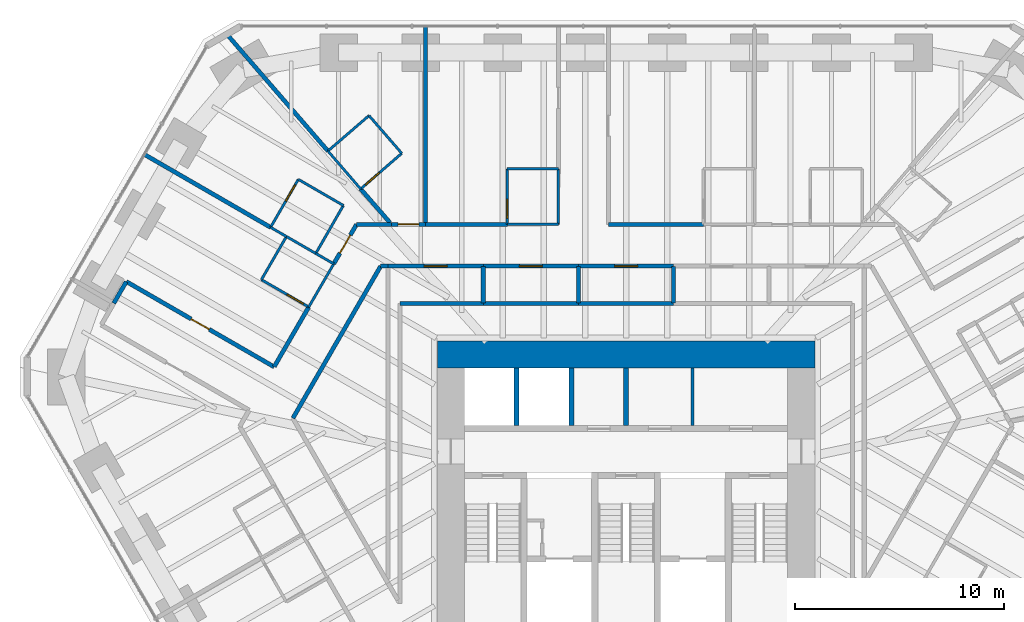
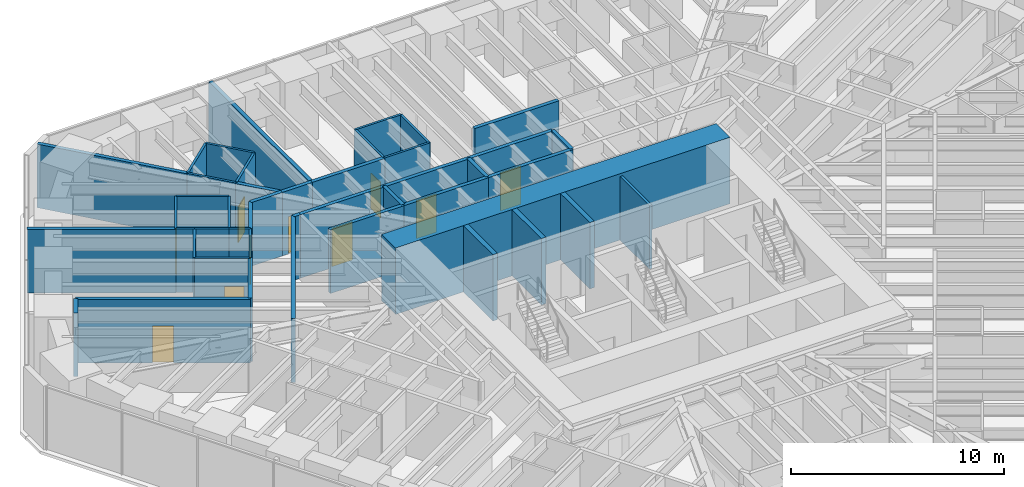
# One storey, part 14 of 17: 45 walls, 10 doors, 10 openings.
"""IFC4 building model written with IfcOpenShell, lengths in metres."""

from ifc_helpers import new_model, si_unit, direction, frame, frame_2d, origin, place, context, subcontext, project, spatial, rectangle, extrude, material, layer, layer_set, type_object, element, fill, save


model = new_model("IFC4")

# Units and contexts
model_context = context("Model", 3, precision=1e-05, world=origin(), true_north=direction((0.0, 1.0)))
body_context = subcontext(model_context, "Body", "Model", "MODEL_VIEW")
ifc_project = project(units=[si_unit("LENGTHUNIT", "METRE"), si_unit("AREAUNIT", "SQUARE_METRE"), si_unit("VOLUMEUNIT", "CUBIC_METRE"), si_unit("PLANEANGLEUNIT", "RADIAN"), si_unit("MASSUNIT", "GRAM", prefix="KILO")], contexts=[model_context])

# Site, building, storey
site_placement = place(None, origin())
site = spatial("IfcSite", under=ifc_project, at=site_placement, CompositionType="ELEMENT")
building_placement = place(site_placement, origin())
building = spatial("IfcBuilding", under=site, at=building_placement, Name="Sandreach Pilgrim Tower", CompositionType="ELEMENT")
storey_placement = place(building_placement, frame((0.0, 0.0, 123.39990234375)))
storey = spatial("IfcBuildingStorey", under=building, at=storey_placement, Name="L30", CompositionType="ELEMENT", Elevation=123.39990234375)

# Wall
ifc_material_1 = material(Name="Gypsum board on steel studs", Category="steel")
ifc_layer_1 = layer(ifc_material_1, 0.14990234375)
ifc_layer_set_1 = layer_set([ifc_layer_1], Name="Back of house wall 150")
wall_type_1 = type_object("IfcWallType", Name="Back of house wall 150", PredefinedType="PARTITIONING", material=ifc_layer_set_1)
wall_1_placement = place(storey_placement, frame((3.175048828125, 3.35009765625, 0.0), z_axis=(0.0, 0.0, 1.0), x_axis=(0.0, 1.0, 0.0)))
element("IfcWall", 1, at=wall_1_placement, inside=storey, type_object=wall_type_1, Name="Core room partition L30 1", PredefinedType="PARTITIONING", context=body_context, shape_type="SweptSolid", body=[
    extrude(rectangle(XDim=2.75, YDim=0.14990234375, at=frame_2d((1.375, 0.0))), origin(), (0.0, 0.0, 1.0), 3.64013671875),
])

# Wall, opening, door
ifc_material_2 = material(Name="Moisture-resistant gypsum board on steel studs", Category="steel")
ifc_layer_2 = layer(ifc_material_2, 0.1201171875)
ifc_layer_set_2 = layer_set([ifc_layer_2], Name="Bathroom partition 120")
wall_type_2 = type_object("IfcWallType", Name="Bathroom partition 120", PredefinedType="PARTITIONING", material=ifc_layer_set_2)
wall_2_placement = place(storey_placement, frame((-17.489990234375, 10.340087890625, 0.0), z_axis=(0.0, 0.0, 1.0), x_axis=(0.866114241029, -0.499846097802, 0.0)))
wall_2 = element("IfcWall", 2, at=wall_2_placement, inside=storey, type_object=wall_type_2, Name="Bathroom partition L30-013", PredefinedType="PARTITIONING", context=body_context, shape_type="SweptSolid", body=[
    extrude(rectangle(XDim=2.620849609375, YDim=0.1201171875, at=frame_2d((1.310546875, 0.0))), origin(), (0.0, 0.0, 1.0), 3.64013671875),
])
opening_1_placement = place(wall_2_placement, frame((1.4208984375, 0.0, 0.0)))
opening_1 = element("IfcOpeningElement", 3, at=opening_1_placement, cuts=wall_2, Name="Opening D09-18B", PredefinedType="OPENING", context=body_context, shape_type="SweptSolid", body=[
    extrude(rectangle(XDim=0.89990234375, YDim=2.030029296875, at=frame_2d((0.449951171875, 1.01513671875))), frame((0.0, 0.06005859375, 0.0), z_axis=(0.0, -1.0, 0.0), x_axis=(1.0, 0.0, 0.0)), (0.0, 0.0, 1.0), 0.1201171875),
])
ifc_material_3 = material(Name="Timber door, steel frame", Category="steel")
door_type_1 = type_object("IfcDoorType", Name="Bathroom door", OperationType="SINGLE_SWING_LEFT", PredefinedType="DOOR", material=ifc_material_3)
door_1_placement = place(opening_1_placement, origin())
door_1 = element("IfcDoor", 4, at=door_1_placement, inside=storey, type_object=door_type_1, Name="Door 3018B", OperationType="SINGLE_SWING_RIGHT", OverallHeight=2.030029296875, OverallWidth=0.89990234375, PredefinedType="DOOR", context=body_context, shape_type="SweptSolid", body=[
    extrude(rectangle(XDim=0.89990234375, YDim=2.030029296875, at=frame_2d((0.449951171875, 1.01513671875))), frame((0.0, 0.02490234375, 0.0), z_axis=(0.0, -1.0, 0.0), x_axis=(1.0, 0.0, 0.0)), (0.0, 0.0, 1.0), 0.050048828125),
])
fill(opening_1, door_1)

# Walls
wall_3_placement = place(storey_placement, frame((-17.050537109375, 12.849365234375, 0.0), z_axis=(0.0, 0.0, 1.0), x_axis=(0.865838315616, -0.500323906295, 0.0)))
element("IfcWall", 5, at=wall_3_placement, inside=storey, type_object=wall_type_2, Name="Bathroom partition L30-015", PredefinedType="PARTITIONING", context=body_context, shape_type="SweptSolid", body=[
    extrude(rectangle(XDim=0.87841796875, YDim=0.1201171875, at=frame_2d((0.439208984375, 0.0))), origin(), (0.0, 0.0, 1.0), 3.64013671875),
])
wall_4_placement = place(storey_placement, frame((-16.2900390625, 12.409912109375, 0.0), z_axis=(0.0, 0.0, 1.0), x_axis=(-0.501547039172, -0.865130376012, 0.0)))
element("IfcWall", 6, at=wall_4_placement, inside=storey, type_object=wall_type_2, Name="Bathroom partition L30-020", PredefinedType="PARTITIONING", context=body_context, shape_type="SweptSolid", body=[
    extrude(rectangle(XDim=2.392578125, YDim=0.1201171875, at=frame_2d((1.1962890625, 0.0))), origin(), (0.0, 0.0, 1.0), 3.64013671875),
])
wall_5_placement = place(storey_placement, frame((-16.2900390625, 12.409912109375, 0.0), z_axis=(0.0, 0.0, 1.0), x_axis=(0.866138091645, -0.499804768086, 0.0)))
element("IfcWall", 7, at=wall_5_placement, inside=storey, type_object=wall_type_2, Name="Bathroom partition L30-021", PredefinedType="PARTITIONING", context=body_context, shape_type="SweptSolid", body=[
    extrude(rectangle(XDim=1.626220703125, YDim=0.1201171875, at=frame_2d((0.81298828125, 0.0))), origin(), (0.0, 0.0, 1.0), 3.64013671875),
])

# Wall, opening, door
wall_6_placement = place(storey_placement, frame((-15.719970703125, 15.14990234375, 0.0), z_axis=(0.0, 0.0, 1.0), x_axis=(-0.500605174168, -0.865675724273, 0.0)))
wall_6 = element("IfcWall", 8, at=wall_6_placement, inside=storey, type_object=wall_type_2, Name="Bathroom partition L30-023", PredefinedType="PARTITIONING", context=body_context, shape_type="SweptSolid", body=[
    extrude(rectangle(XDim=2.656982421875, YDim=0.1201171875, at=frame_2d((1.32861328125, 0.0))), origin(), (0.0, 0.0, 1.0), 3.64013671875),
])
opening_2_placement = place(wall_6_placement, frame((0.300048828125, 0.0, 0.0)))
opening_2 = element("IfcOpeningElement", 9, at=opening_2_placement, cuts=wall_6, Name="Opening D09-19B", PredefinedType="OPENING", context=body_context, shape_type="SweptSolid", body=[
    extrude(rectangle(XDim=0.89990234375, YDim=2.030029296875, at=frame_2d((0.449951171875, 1.01513671875))), frame((0.0, 0.06005859375, 0.0), z_axis=(0.0, -1.0, 0.0), x_axis=(1.0, 0.0, 0.0)), (0.0, 0.0, 1.0), 0.1201171875),
])
door_2_placement = place(opening_2_placement, origin())
door_2 = element("IfcDoor", 10, at=door_2_placement, inside=storey, type_object=door_type_1, Name="Door 3019B", OperationType="SINGLE_SWING_LEFT", OverallHeight=2.030029296875, OverallWidth=0.89990234375, PredefinedType="DOOR", context=body_context, shape_type="SweptSolid", body=[
    extrude(rectangle(XDim=0.89990234375, YDim=2.030029296875, at=frame_2d((0.449951171875, 1.01513671875))), frame((0.0, 0.02490234375, 0.0), z_axis=(0.0, -1.0, 0.0), x_axis=(1.0, 0.0, 0.0)), (0.0, 0.0, 1.0), 0.050048828125),
])
fill(opening_2, door_2)

# Walls
wall_7_placement = place(storey_placement, frame((-15.219970703125, 9.030029296875, 0.0), z_axis=(0.0, 0.0, 1.0), x_axis=(0.501502765098, 0.865156041763, 0.0)))
element("IfcWall", 11, at=wall_7_placement, inside=storey, type_object=wall_type_2, Name="Bathroom partition L30-026", PredefinedType="PARTITIONING", context=body_context, shape_type="SweptSolid", body=[
    extrude(rectangle(XDim=2.392822265625, YDim=0.1201171875, at=frame_2d((1.1962890625, 0.0))), origin(), (0.0, 0.0, 1.0), 3.64013671875),
])
wall_8_placement = place(storey_placement, frame((-14.881591796875, 11.59716796875, 0.0), z_axis=(0.0, 0.0, 1.0), x_axis=(0.866181499781, -0.499729536286, 0.0)))
element("IfcWall", 12, at=wall_8_placement, inside=storey, type_object=wall_type_2, Name="Bathroom partition L30-027", PredefinedType="PARTITIONING", context=body_context, shape_type="SweptSolid", body=[
    extrude(rectangle(XDim=0.99462890625, YDim=0.1201171875, at=frame_2d((0.497314453125, 0.0))), origin(), (0.0, 0.0, 1.0), 3.64013671875),
])
wall_9_placement = place(storey_placement, frame((-14.8798828125, 11.60009765625, 0.0), z_axis=(0.0, 0.0, 1.0), x_axis=(0.497704656183, 0.867346571569, 0.0)))
element("IfcWall", 13, at=wall_9_placement, inside=storey, type_object=wall_type_2, Name="Bathroom partition L30-028", PredefinedType="PARTITIONING", context=body_context, shape_type="SweptSolid", body=[
    extrude(rectangle(XDim=2.65185546875, YDim=0.1201171875, at=frame_2d((1.325927734375, 0.0))), origin(), (0.0, 0.0, 1.0), 3.64013671875),
])
wall_10_placement = place(storey_placement, frame((-14.300048828125, 16.510009765625, 0.0), z_axis=(0.0, 0.0, 1.0), x_axis=(0.653188728136, -0.757195143563, 0.0)))
element("IfcWall", 14, at=wall_10_placement, inside=storey, type_object=wall_type_2, Name="Bathroom partition L30-030", PredefinedType="PARTITIONING", context=body_context, shape_type="SweptSolid", body=[
    extrude(rectangle(XDim=2.40380859375, YDim=0.1201171875, at=frame_2d((1.201904296875, 0.0))), origin(), (0.0, 0.0, 1.0), 3.64013671875),
])
wall_11_placement = place(storey_placement, frame((-13.56005859375, 13.89990234375, 0.0), z_axis=(0.0, 0.0, 1.0), x_axis=(-0.865508881864, 0.500893576935, 0.0)))
element("IfcWall", 15, at=wall_11_placement, inside=storey, type_object=wall_type_2, Name="Bathroom partition L30-033", PredefinedType="PARTITIONING", context=body_context, shape_type="SweptSolid", body=[
    extrude(rectangle(XDim=2.49560546875, YDim=0.1201171875, at=frame_2d((1.247802734375, 0.0))), origin(), (0.0, 0.0, 1.0), 3.64013671875),
])

# Wall, opening, door
wall_12_placement = place(storey_placement, frame((-12.72998046875, 14.68994140625, 0.0), z_axis=(0.0, 0.0, 1.0), x_axis=(0.755185511235, 0.655511131576, 0.0)))
wall_12 = element("IfcWall", 16, at=wall_12_placement, inside=storey, type_object=wall_type_2, Name="Bathroom partition L30-037", PredefinedType="PARTITIONING", context=body_context, shape_type="SweptSolid", body=[
    extrude(rectangle(XDim=2.608642578125, YDim=0.1201171875, at=frame_2d((1.30419921875, 0.0))), origin(), (0.0, 0.0, 1.0), 3.64013671875),
])
opening_3_placement = place(wall_12_placement, frame((0.300048828125, 0.0, 0.0)))
opening_3 = element("IfcOpeningElement", 17, at=opening_3_placement, cuts=wall_12, Name="Opening D09-01B", PredefinedType="OPENING", context=body_context, shape_type="SweptSolid", body=[
    extrude(rectangle(XDim=0.89990234375, YDim=2.030029296875, at=frame_2d((0.449951171875, 1.01513671875))), frame((0.0, 0.06005859375, 0.0), z_axis=(0.0, -1.0, 0.0), x_axis=(1.0, 0.0, 0.0)), (0.0, 0.0, 1.0), 0.1201171875),
])
door_3_placement = place(opening_3_placement, origin())
door_3 = element("IfcDoor", 18, at=door_3_placement, inside=storey, type_object=door_type_1, Name="Door 3001B", OperationType="SINGLE_SWING_LEFT", OverallHeight=2.030029296875, OverallWidth=0.89990234375, PredefinedType="DOOR", context=body_context, shape_type="SweptSolid", body=[
    extrude(rectangle(XDim=0.89990234375, YDim=2.030029296875, at=frame_2d((0.449951171875, 1.01513671875))), frame((0.0, 0.02490234375, 0.0), z_axis=(0.0, -1.0, 0.0), x_axis=(1.0, 0.0, 0.0)), (0.0, 0.0, 1.0), 0.050048828125),
])
fill(opening_3, door_3)

# Walls
wall_13_placement = place(storey_placement, frame((-12.330078125, 18.2099609375, 0.0), z_axis=(0.0, 0.0, 1.0), x_axis=(-0.757086659925, -0.653314464377, 0.0)))
element("IfcWall", 19, at=wall_13_placement, inside=storey, type_object=wall_type_2, Name="Bathroom partition L30-038", PredefinedType="PARTITIONING", context=body_context, shape_type="SweptSolid", body=[
    extrude(rectangle(XDim=2.60205078125, YDim=0.1201171875, at=frame_2d((1.301025390625, 0.0))), origin(), (0.0, 0.0, 1.0), 3.64013671875),
])
wall_14_placement = place(storey_placement, frame((-10.760009765625, 16.39990234375, 0.0), z_axis=(0.0, 0.0, 1.0), x_axis=(-0.655252439976, 0.755409981338, 0.0)))
element("IfcWall", 20, at=wall_14_placement, inside=storey, type_object=wall_type_2, Name="Bathroom partition L30-049", PredefinedType="PARTITIONING", context=body_context, shape_type="SweptSolid", body=[
    extrude(rectangle(XDim=2.396240234375, YDim=0.1201171875, at=frame_2d((1.1982421875, 0.0))), origin(), (0.0, 0.0, 1.0), 3.64013671875),
])

# Wall, opening, door
wall_15_placement = place(storey_placement, frame((-5.7099609375, 15.659912109375, 0.0), z_axis=(0.0, 0.0, 1.0), x_axis=(0.003749059241, -0.999992972253, 0.0)))
wall_15 = element("IfcWall", 21, at=wall_15_placement, inside=storey, type_object=wall_type_2, Name="Bathroom partition L30-066", PredefinedType="PARTITIONING", context=body_context, shape_type="SweptSolid", body=[
    extrude(rectangle(XDim=2.669921875, YDim=0.1201171875, at=frame_2d((1.3349609375, 0.0))), origin(), (0.0, 0.0, 1.0), 3.64013671875),
])
opening_4_placement = place(wall_15_placement, frame((1.469970703125, 0.0, 0.0)))
opening_4 = element("IfcOpeningElement", 22, at=opening_4_placement, cuts=wall_15, Name="Opening D09-02B", PredefinedType="OPENING", context=body_context, shape_type="SweptSolid", body=[
    extrude(rectangle(XDim=0.89990234375, YDim=2.030029296875, at=frame_2d((0.449951171875, 1.01513671875))), frame((0.0, 0.06005859375, 0.0), z_axis=(0.0, -1.0, 0.0), x_axis=(1.0, 0.0, 0.0)), (0.0, 0.0, 1.0), 0.1201171875),
])
door_4_placement = place(opening_4_placement, origin())
door_4 = element("IfcDoor", 23, at=door_4_placement, inside=storey, type_object=door_type_1, Name="Door 3002B", OperationType="SINGLE_SWING_RIGHT", OverallHeight=2.030029296875, OverallWidth=0.89990234375, PredefinedType="DOOR", context=body_context, shape_type="SweptSolid", body=[
    extrude(rectangle(XDim=0.89990234375, YDim=2.030029296875, at=frame_2d((0.449951171875, 1.01513671875))), frame((0.0, 0.02490234375, 0.0), z_axis=(0.0, -1.0, 0.0), x_axis=(1.0, 0.0, 0.0)), (0.0, 0.0, 1.0), 0.050048828125),
])
fill(opening_4, door_4)

# Walls
wall_16_placement = place(storey_placement, frame((-3.25, 12.989990234375, 0.0), z_axis=(0.0, 0.0, 1.0), x_axis=(-1.0, 0.0, 0.0)))
element("IfcWall", 24, at=wall_16_placement, inside=storey, type_object=wall_type_2, Name="Bathroom partition L30-079", PredefinedType="PARTITIONING", context=body_context, shape_type="SweptSolid", body=[
    extrude(rectangle(XDim=2.449951171875, YDim=0.1201171875, at=frame_2d((1.22509765625, 0.0))), origin(), (0.0, 0.0, 1.0), 3.64013671875),
])
wall_17_placement = place(storey_placement, frame((-3.25, 15.659912109375, 0.0), z_axis=(0.0, 0.0, 1.0), x_axis=(-1.0, 0.0, 0.0)))
element("IfcWall", 25, at=wall_17_placement, inside=storey, type_object=wall_type_2, Name="Bathroom partition L30-080", PredefinedType="PARTITIONING", context=body_context, shape_type="SweptSolid", body=[
    extrude(rectangle(XDim=2.4599609375, YDim=0.1201171875, at=frame_2d((1.22998046875, 0.0))), origin(), (0.0, 0.0, 1.0), 3.64013671875),
])
wall_18_placement = place(storey_placement, frame((-3.25, 15.659912109375, 0.0), z_axis=(0.0, 0.0, 1.0), x_axis=(0.0, -1.0, 0.0)))
element("IfcWall", 26, at=wall_18_placement, inside=storey, type_object=wall_type_2, Name="Bathroom partition L30-081", PredefinedType="PARTITIONING", context=body_context, shape_type="SweptSolid", body=[
    extrude(rectangle(XDim=2.669921875, YDim=0.1201171875, at=frame_2d((1.3349609375, 0.0))), origin(), (0.0, 0.0, 1.0), 3.64013671875),
])
ifc_material_4 = material(Name="Concrete 10000 psi", Category="concrete")
ifc_layer_3 = layer(ifc_material_4, 1.300048828125)
ifc_layer_set_3 = layer_set([ifc_layer_3], Name="Core wall 1300")
wall_type_3 = type_object("IfcWallType", Name="Core wall 1300", PredefinedType="SHEAR", material=ifc_layer_set_3)
wall_19_placement = place(storey_placement, frame((-9.050048828125, 6.75, 0.0), z_axis=(0.0, 0.0, 1.0), x_axis=(1.0, 0.0, 0.0)))
element("IfcWall", 27, at=wall_19_placement, inside=storey, type_object=wall_type_3, Name="Core wall N L30", PredefinedType="SHEAR", context=body_context, shape_type="SweptSolid", body=[
    extrude(rectangle(XDim=18.10009765625, YDim=1.300048828125, at=frame_2d((9.050048828125, 0.0))), origin(), (0.0, 0.0, 1.0), 3.800048828125),
])
ifc_material_5 = material(Name="Gypsum board on steel studs, two layers each side", Category="steel")
ifc_layer_4 = layer(ifc_material_5, 0.199951171875)
ifc_layer_set_4 = layer_set([ifc_layer_4], Name="Corridor wall 200")
wall_type_4 = type_object("IfcWallType", Name="Corridor wall 200", PredefinedType="PARTITIONING", material=ifc_layer_set_4)
wall_20_placement = place(storey_placement, frame((-24.570068359375, 9.2099609375, 0.0), z_axis=(0.0, 0.0, 1.0), x_axis=(0.499734288277, 0.866178758179, 0.0)))
element("IfcWall", 28, at=wall_20_placement, inside=storey, type_object=wall_type_4, Name="Corridor wall L30-004", PredefinedType="PARTITIONING", context=body_context, shape_type="SweptSolid", body=[
    extrude(rectangle(XDim=1.190673828125, YDim=0.199951171875, at=frame_2d((0.59521484375, 0.0))), origin(), (0.0, 0.0, 1.0), 3.64013671875),
])

# Wall, opening, door
wall_21_placement = place(storey_placement, frame((-16.8798828125, 6.159912109375, 0.0), z_axis=(0.0, 0.0, 1.0), x_axis=(-0.866203958324, 0.499690606859, 0.0)))
wall_21 = element("IfcWall", 29, at=wall_21_placement, inside=storey, type_object=wall_type_4, Name="Corridor wall L30-017", PredefinedType="PARTITIONING", context=body_context, shape_type="SweptSolid", body=[
    extrude(rectangle(XDim=8.185302734375, YDim=0.199951171875, at=frame_2d((4.0927734375, 0.0))), origin(), (0.0, 0.0, 1.0), 3.64013671875),
])
opening_5_placement = place(wall_21_placement, frame((3.592529296875, 0.0, 0.0)))
opening_5 = element("IfcOpeningElement", 30, at=opening_5_placement, cuts=wall_21, Name="Opening D10-18", PredefinedType="OPENING", context=body_context, shape_type="SweptSolid", body=[
    extrude(rectangle(XDim=1.0, YDim=2.1298828125, at=frame_2d((0.5, 1.06494140625))), frame((0.0, 0.10009765625, 0.0), z_axis=(0.0, -1.0, 0.0), x_axis=(1.0, 0.0, 0.0)), (0.0, 0.0, 1.0), 0.199951171875),
])
ifc_material_6 = material(Name="Steel door and frame", Category="steel")
door_type_2 = type_object("IfcDoorType", Name="Guest room entry door", OperationType="SINGLE_SWING_LEFT", PredefinedType="DOOR", material=ifc_material_6)
door_5_placement = place(opening_5_placement, origin())
door_5 = element("IfcDoor", 31, at=door_5_placement, inside=storey, type_object=door_type_2, Name="Door 3018", OperationType="SINGLE_SWING_LEFT", OverallHeight=2.1298828125, OverallWidth=1.0, PredefinedType="DOOR", context=body_context, shape_type="SweptSolid", body=[
    extrude(rectangle(XDim=1.0, YDim=2.1298828125, at=frame_2d((0.5, 1.06494140625))), frame((0.0, 0.02490234375, 0.0), z_axis=(0.0, -1.0, 0.0), x_axis=(1.0, 0.0, 0.0)), (0.0, 0.0, 1.0), 0.050048828125),
])
fill(opening_5, door_5)

# Walls
wall_22_placement = place(storey_placement, frame((-16.875, 6.168701171875, 0.0), z_axis=(0.0, 0.0, 1.0), x_axis=(0.500689767595, 0.865626799854, 0.0)))
element("IfcWall", 32, at=wall_22_placement, inside=storey, type_object=wall_type_4, Name="Corridor wall L30-018", PredefinedType="PARTITIONING", context=body_context, shape_type="SweptSolid", body=[
    extrude(rectangle(XDim=3.305419921875, YDim=0.199951171875, at=frame_2d((1.65283203125, 0.0))), origin(), (0.0, 0.0, 1.0), 3.64013671875),
])
wall_23_placement = place(storey_placement, frame((-15.97998046875, 3.699951171875, 0.0), z_axis=(0.0, 0.0, 1.0), x_axis=(0.500093981358, 0.865971136822, 0.0)))
element("IfcWall", 33, at=wall_23_placement, inside=storey, type_object=wall_type_4, Name="Corridor wall L30-022", PredefinedType="PARTITIONING", context=body_context, shape_type="SweptSolid", body=[
    extrude(rectangle(XDim=8.41845703125, YDim=0.199951171875, at=frame_2d((4.209228515625, 0.0))), origin(), (0.0, 0.0, 1.0), 3.64013671875),
])

# Wall, opening, door
wall_24_placement = place(storey_placement, frame((-14.02001953125, 11.10009765625, 0.0), z_axis=(0.0, 0.0, 1.0), x_axis=(0.499641723021, 0.866232156305, 0.0)))
wall_24 = element("IfcWall", 34, at=wall_24_placement, inside=storey, type_object=wall_type_4, Name="Corridor wall L30-032", PredefinedType="PARTITIONING", context=body_context, shape_type="SweptSolid", body=[
    extrude(rectangle(XDim=2.181640625, YDim=0.199951171875, at=frame_2d((1.0908203125, 0.0))), origin(), (0.0, 0.0, 1.0), 3.64013671875),
])
opening_6_placement = place(wall_24_placement, frame((0.5908203125, 0.0, 0.0)))
opening_6 = element("IfcOpeningElement", 35, at=opening_6_placement, cuts=wall_24, Name="Opening D10-19", PredefinedType="OPENING", context=body_context, shape_type="SweptSolid", body=[
    extrude(rectangle(XDim=1.0, YDim=2.1298828125, at=frame_2d((0.5, 1.06494140625))), frame((0.0, 0.10009765625, 0.0), z_axis=(0.0, -1.0, 0.0), x_axis=(1.0, 0.0, 0.0)), (0.0, 0.0, 1.0), 0.199951171875),
])
door_6_placement = place(opening_6_placement, origin())
door_6 = element("IfcDoor", 36, at=door_6_placement, inside=storey, type_object=door_type_2, Name="Door 3019", OperationType="SINGLE_SWING_LEFT", OverallHeight=2.1298828125, OverallWidth=1.0, PredefinedType="DOOR", context=body_context, shape_type="SweptSolid", body=[
    extrude(rectangle(XDim=1.0, YDim=2.1298828125, at=frame_2d((0.5, 1.06494140625))), frame((0.0, 0.02490234375, 0.0), z_axis=(0.0, -1.0, 0.0), x_axis=(1.0, 0.0, 0.0)), (0.0, 0.0, 1.0), 0.050048828125),
])
fill(opening_6, door_6)

# Wall
wall_25_placement = place(storey_placement, frame((-11.77001953125, 10.989990234375, 0.0), z_axis=(0.0, 0.0, 1.0), x_axis=(1.0, 0.0, 0.0)))
element("IfcWall", 37, at=wall_25_placement, inside=storey, type_object=wall_type_4, Name="Corridor wall L30-040", PredefinedType="PARTITIONING", context=body_context, shape_type="SweptSolid", body=[
    extrude(rectangle(XDim=0.35009765625, YDim=0.199951171875, at=frame_2d((0.175048828125, 0.0))), origin(), (0.0, 0.0, 1.0), 3.64013671875),
])

# Wall, opening, door
wall_26_placement = place(storey_placement, frame((-11.419921875, 10.989990234375, 0.0), z_axis=(0.0, 0.0, 1.0), x_axis=(1.0, 0.0, 0.0)))
wall_26 = element("IfcWall", 38, at=wall_26_placement, inside=storey, type_object=wall_type_4, Name="Corridor wall L30-044", PredefinedType="PARTITIONING", context=body_context, shape_type="SweptSolid", body=[
    extrude(rectangle(XDim=4.56982421875, YDim=0.199951171875, at=frame_2d((2.284912109375, 0.0))), origin(), (0.0, 0.0, 1.0), 3.64013671875),
])
opening_7_placement = place(wall_26_placement, frame((1.735107421875, 0.0, 0.0)))
opening_7 = element("IfcOpeningElement", 39, at=opening_7_placement, cuts=wall_26, Name="Opening D11H-M02", PredefinedType="OPENING", context=body_context, shape_type="SweptSolid", body=[
    extrude(rectangle(XDim=1.10009765625, YDim=2.199951171875, at=frame_2d((0.550048828125, 1.10009765625))), frame((0.0, 0.10009765625, 0.0), z_axis=(0.0, -1.0, 0.0), x_axis=(1.0, 0.0, 0.0)), (0.0, 0.0, 1.0), 0.199951171875),
])
ifc_material_7 = material(Name="Steel door and frame", Category="steel")
door_type_3 = type_object("IfcDoorType", Name="Back of house door", OperationType="SINGLE_SWING_LEFT", PredefinedType="DOOR", material=ifc_material_7)
door_7_placement = place(opening_7_placement, origin())
door_7 = element("IfcDoor", 40, at=door_7_placement, inside=storey, type_object=door_type_3, Name="Door 30M02", OperationType="SINGLE_SWING_LEFT", OverallHeight=2.199951171875, OverallWidth=1.10009765625, PredefinedType="DOOR", context=body_context, shape_type="SweptSolid", body=[
    extrude(rectangle(XDim=1.10009765625, YDim=2.199951171875, at=frame_2d((0.550048828125, 1.10009765625))), frame((0.0, 0.02490234375, 0.0), z_axis=(0.0, -1.0, 0.0), x_axis=(1.0, 0.0, 0.0)), (0.0, 0.0, 1.0), 0.050048828125),
])
fill(opening_7, door_7)

# Wall
wall_27_placement = place(storey_placement, frame((-11.25, 12.989990234375, 0.0), z_axis=(0.0, 0.0, 1.0), x_axis=(-1.0, 0.0, 0.0)))
element("IfcWall", 41, at=wall_27_placement, inside=storey, type_object=wall_type_4, Name="Corridor wall L30-045", PredefinedType="PARTITIONING", context=body_context, shape_type="SweptSolid", body=[
    extrude(rectangle(XDim=1.679931640625, YDim=0.199951171875, at=frame_2d((0.83984375, 0.0))), origin(), (0.0, 0.0, 1.0), 3.64013671875),
])

# Wall, opening, door
wall_28_placement = place(storey_placement, frame((-9.6201171875, 12.989990234375, 0.0), z_axis=(0.0, 0.0, 1.0), x_axis=(-1.0, 0.0, 0.0)))
wall_28 = element("IfcWall", 42, at=wall_28_placement, inside=storey, type_object=wall_type_4, Name="Corridor wall L30-051", PredefinedType="PARTITIONING", context=body_context, shape_type="SweptSolid", body=[
    extrude(rectangle(XDim=1.6298828125, YDim=0.199951171875, at=frame_2d((0.81494140625, 0.0))), origin(), (0.0, 0.0, 1.0), 3.64013671875),
])
opening_8_placement = place(wall_28_placement, frame((0.31494140625, 0.0, 0.0)))
opening_8 = element("IfcOpeningElement", 43, at=opening_8_placement, cuts=wall_28, Name="Opening D10-01", PredefinedType="OPENING", context=body_context, shape_type="SweptSolid", body=[
    extrude(rectangle(XDim=1.0, YDim=2.1298828125, at=frame_2d((0.5, 1.06494140625))), frame((0.0, 0.10009765625, 0.0), z_axis=(0.0, -1.0, 0.0), x_axis=(1.0, 0.0, 0.0)), (0.0, 0.0, 1.0), 0.199951171875),
])
door_8_placement = place(opening_8_placement, origin())
door_8 = element("IfcDoor", 44, at=door_8_placement, inside=storey, type_object=door_type_2, Name="Door 3001", OperationType="SINGLE_SWING_LEFT", OverallHeight=2.1298828125, OverallWidth=1.0, PredefinedType="DOOR", context=body_context, shape_type="SweptSolid", body=[
    extrude(rectangle(XDim=1.0, YDim=2.1298828125, at=frame_2d((0.5, 1.06494140625))), frame((0.0, 0.02490234375, 0.0), z_axis=(0.0, -1.0, 0.0), x_axis=(1.0, 0.0, 0.0)), (0.0, 0.0, 1.0), 0.050048828125),
])
fill(opening_8, door_8)

# Wall
wall_29_placement = place(storey_placement, frame((-6.85009765625, 9.199951171875, 0.0), z_axis=(0.0, 0.0, 1.0), x_axis=(-1.0, 0.0, 0.0)))
element("IfcWall", 45, at=wall_29_placement, inside=storey, type_object=wall_type_4, Name="Corridor wall L30-058", PredefinedType="PARTITIONING", context=body_context, shape_type="SweptSolid", body=[
    extrude(rectangle(XDim=3.989990234375, YDim=0.199951171875, at=frame_2d((1.9951171875, 0.0))), origin(), (0.0, 0.0, 1.0), 3.64013671875),
])

# Wall, opening, door
wall_30_placement = place(storey_placement, frame((-6.85009765625, 10.989990234375, 0.0), z_axis=(0.0, 0.0, 1.0), x_axis=(1.0, 0.0, 0.0)))
wall_30 = element("IfcWall", 46, at=wall_30_placement, inside=storey, type_object=wall_type_4, Name="Corridor wall L30-060", PredefinedType="PARTITIONING", context=body_context, shape_type="SweptSolid", body=[
    extrude(rectangle(XDim=4.570068359375, YDim=0.199951171875, at=frame_2d((2.28515625, 0.0))), origin(), (0.0, 0.0, 1.0), 3.64013671875),
])
opening_9_placement = place(wall_30_placement, frame((1.735107421875, 0.0, 0.0)))
opening_9 = element("IfcOpeningElement", 47, at=opening_9_placement, cuts=wall_30, Name="Opening D11H-M03", PredefinedType="OPENING", context=body_context, shape_type="SweptSolid", body=[
    extrude(rectangle(XDim=1.10009765625, YDim=2.199951171875, at=frame_2d((0.550048828125, 1.10009765625))), frame((0.0, 0.10009765625, 0.0), z_axis=(0.0, -1.0, 0.0), x_axis=(1.0, 0.0, 0.0)), (0.0, 0.0, 1.0), 0.199951171875),
])
door_9_placement = place(opening_9_placement, origin())
door_9 = element("IfcDoor", 48, at=door_9_placement, inside=storey, type_object=door_type_3, Name="Door 30M03", OperationType="SINGLE_SWING_LEFT", OverallHeight=2.199951171875, OverallWidth=1.10009765625, PredefinedType="DOOR", context=body_context, shape_type="SweptSolid", body=[
    extrude(rectangle(XDim=1.10009765625, YDim=2.199951171875, at=frame_2d((0.550048828125, 1.10009765625))), frame((0.0, 0.02490234375, 0.0), z_axis=(0.0, -1.0, 0.0), x_axis=(1.0, 0.0, 0.0)), (0.0, 0.0, 1.0), 0.050048828125),
])
fill(opening_9, door_9)

# Walls
wall_31_placement = place(storey_placement, frame((-5.699951171875, 12.989990234375, 0.0), z_axis=(0.0, 0.0, 1.0), x_axis=(-1.0, 0.0, 0.0)))
element("IfcWall", 49, at=wall_31_placement, inside=storey, type_object=wall_type_4, Name="Corridor wall L30-067", PredefinedType="PARTITIONING", context=body_context, shape_type="SweptSolid", body=[
    extrude(rectangle(XDim=3.920166015625, YDim=0.199951171875, at=frame_2d((1.9599609375, 0.0))), origin(), (0.0, 0.0, 1.0), 3.64013671875),
])
wall_32_placement = place(storey_placement, frame((-2.280029296875, 9.199951171875, 0.0), z_axis=(0.0, 0.0, 1.0), x_axis=(-1.0, 0.0, 0.0)))
element("IfcWall", 50, at=wall_32_placement, inside=storey, type_object=wall_type_4, Name="Corridor wall L30-083", PredefinedType="PARTITIONING", context=body_context, shape_type="SweptSolid", body=[
    extrude(rectangle(XDim=4.570068359375, YDim=0.199951171875, at=frame_2d((2.28515625, 0.0))), origin(), (0.0, 0.0, 1.0), 3.64013671875),
])

# Wall, opening, door
wall_33_placement = place(storey_placement, frame((-2.280029296875, 10.989990234375, 0.0), z_axis=(0.0, 0.0, 1.0), x_axis=(1.0, 0.0, 0.0)))
wall_33 = element("IfcWall", 51, at=wall_33_placement, inside=storey, type_object=wall_type_4, Name="Corridor wall L30-085", PredefinedType="PARTITIONING", context=body_context, shape_type="SweptSolid", body=[
    extrude(rectangle(XDim=4.56005859375, YDim=0.199951171875, at=frame_2d((2.280029296875, 0.0))), origin(), (0.0, 0.0, 1.0), 3.64013671875),
])
opening_10_placement = place(wall_33_placement, frame((1.72998046875, 0.0, 0.0)))
opening_10 = element("IfcOpeningElement", 52, at=opening_10_placement, cuts=wall_33, Name="Opening D11H-M04", PredefinedType="OPENING", context=body_context, shape_type="SweptSolid", body=[
    extrude(rectangle(XDim=1.10009765625, YDim=2.199951171875, at=frame_2d((0.550048828125, 1.10009765625))), frame((0.0, 0.10009765625, 0.0), z_axis=(0.0, -1.0, 0.0), x_axis=(1.0, 0.0, 0.0)), (0.0, 0.0, 1.0), 0.199951171875),
])
door_10_placement = place(opening_10_placement, origin())
door_10 = element("IfcDoor", 53, at=door_10_placement, inside=storey, type_object=door_type_3, Name="Door 30M04", OperationType="SINGLE_SWING_LEFT", OverallHeight=2.199951171875, OverallWidth=1.10009765625, PredefinedType="DOOR", context=body_context, shape_type="SweptSolid", body=[
    extrude(rectangle(XDim=1.10009765625, YDim=2.199951171875, at=frame_2d((0.550048828125, 1.10009765625))), frame((0.0, 0.02490234375, 0.0), z_axis=(0.0, -1.0, 0.0), x_axis=(1.0, 0.0, 0.0)), (0.0, 0.0, 1.0), 0.050048828125),
])
fill(opening_10, door_10)

# Walls
wall_34_placement = place(storey_placement, frame((2.280029296875, 9.199951171875, 0.0), z_axis=(0.0, 0.0, 1.0), x_axis=(-1.0, 0.0, 0.0)))
element("IfcWall", 54, at=wall_34_placement, inside=storey, type_object=wall_type_4, Name="Corridor wall L30-094", PredefinedType="PARTITIONING", context=body_context, shape_type="SweptSolid", body=[
    extrude(rectangle(XDim=4.56005859375, YDim=0.199951171875, at=frame_2d((2.280029296875, 0.0))), origin(), (0.0, 0.0, 1.0), 3.64013671875),
])
wall_35_placement = place(storey_placement, frame((3.7099609375, 12.989990234375, 0.0), z_axis=(0.0, 0.0, 1.0), x_axis=(-1.0, 0.0, 0.0)))
element("IfcWall", 55, at=wall_35_placement, inside=storey, type_object=wall_type_4, Name="Corridor wall L30-099", PredefinedType="PARTITIONING", context=body_context, shape_type="SweptSolid", body=[
    extrude(rectangle(XDim=4.550048828125, YDim=0.199951171875, at=frame_2d((2.27490234375, 0.0))), origin(), (0.0, 0.0, 1.0), 3.64013671875),
])
ifc_material_8 = material(Name="Double steel stud acoustic wall, gypsum board", Category="steel")
ifc_layer_5 = layer(ifc_material_8, 0.199951171875)
ifc_layer_set_5 = layer_set([ifc_layer_5], Name="Party wall 200")
wall_type_5 = type_object("IfcWallType", Name="Party wall 200", PredefinedType="PARTITIONING", material=ifc_layer_set_5)
wall_36_placement = place(storey_placement, frame((-23.083984375, 16.3349609375, 0.0), z_axis=(0.0, 0.0, 1.0), x_axis=(0.865889693368, -0.500234983702, 0.0)))
element("IfcWall", 56, at=wall_36_placement, inside=storey, type_object=wall_type_5, Name="Party wall L30-005", PredefinedType="PARTITIONING", context=body_context, shape_type="SweptSolid", body=[
    extrude(rectangle(XDim=6.968017578125, YDim=0.199951171875, at=frame_2d((3.48388671875, 0.0))), origin(), (0.0, 0.0, 1.0), 3.64013671875),
])
wall_37_placement = place(storey_placement, frame((-19.160400390625, 22.127197265625, 0.0), z_axis=(0.0, 0.0, 1.0), x_axis=(0.654324699903, -0.756213717871, 0.0)))
element("IfcWall", 57, at=wall_37_placement, inside=storey, type_object=wall_type_5, Name="Party wall L30-006", PredefinedType="PARTITIONING", context=body_context, shape_type="SweptSolid", body=[
    extrude(rectangle(XDim=7.427978515625, YDim=0.199951171875, at=frame_2d((3.7138671875, 0.0))), origin(), (0.0, 0.0, 1.0), 3.64013671875),
])
wall_38_placement = place(storey_placement, frame((-12.72998046875, 14.68994140625, 0.0), z_axis=(0.0, 0.0, 1.0), x_axis=(0.656624063312, -0.754218031792, 0.0)))
element("IfcWall", 58, at=wall_38_placement, inside=storey, type_object=wall_type_5, Name="Party wall L30-036", PredefinedType="PARTITIONING", context=body_context, shape_type="SweptSolid", body=[
    extrude(rectangle(XDim=2.143798828125, YDim=0.199951171875, at=frame_2d((1.07177734375, 0.0))), origin(), (0.0, 0.0, 1.0), 3.64013671875),
])
wall_39_placement = place(storey_placement, frame((-9.6201171875, 22.4599609375, 0.0), z_axis=(0.0, 0.0, 1.0), x_axis=(0.0, -1.0, 0.0)))
element("IfcWall", 59, at=wall_39_placement, inside=storey, type_object=wall_type_5, Name="Party wall L30-052", PredefinedType="PARTITIONING", context=body_context, shape_type="SweptSolid", body=[
    extrude(rectangle(XDim=9.455078125, YDim=0.199951171875, at=frame_2d((4.7275390625, 0.0))), origin(), (0.0, 0.0, 1.0), 3.64013671875),
])
for number, where, z_axis, x_axis, name in (
    (60, (-6.85009765625, 10.97998046875, 0.0), (0.0, 0.0, 1.0), (0.0, -1.0, 0.0), "Party wall L30-059"),
    (61, (-2.280029296875, 10.97998046875, 0.0), (0.0, 0.0, 1.0), (0.0, -1.0, 0.0), "Party wall L30-084"),
    (62, (2.280029296875, 10.97998046875, 0.0), (0.0, 0.0, 1.0), (0.0, -1.0, 0.0), "Party wall L30-095"),
):
    element("IfcWall", number, at=place(storey_placement, frame(where, z_axis=z_axis, x_axis=x_axis)), inside=storey, type_object=wall_type_5, Name=name, PredefinedType="PARTITIONING", context=body_context, shape_type="SweptSolid", body=[
        extrude(rectangle(XDim=1.77001953125, YDim=0.199951171875, at=frame_2d((0.885009765625, 0.0))), origin(), (0.0, 0.0, 1.0), 3.64013671875),
    ])
ifc_material_9 = material(Name="Gypsum shaft wall on steel studs, two layers of shaft liner board", Category="steel")
ifc_layer_6 = layer(ifc_material_9, 0.25)
ifc_layer_set_6 = layer_set([ifc_layer_6], Name="Shaft partition 250")
wall_type_6 = type_object("IfcWallType", Name="Shaft partition 250", PredefinedType="PARTITIONING", material=ifc_layer_set_6)
for number, where, z_axis, x_axis, name in (
    (63, (-5.25, 3.35009765625, 0.0), (0.0, 0.0, 1.0), (0.0, 1.0, 0.0), "Shaft partition NS0 L30"),
    (64, (-2.625, 3.35009765625, 0.0), (0.0, 0.0, 1.0), (0.0, 1.0, 0.0), "Shaft partition NS1 L30"),
    (65, (0.0, 3.35009765625, 0.0), (0.0, 0.0, 1.0), (0.0, 1.0, 0.0), "Shaft partition NS2 L30"),
):
    element("IfcWall", number, at=place(storey_placement, frame(where, z_axis=z_axis, x_axis=x_axis)), inside=storey, type_object=wall_type_6, Name=name, PredefinedType="PARTITIONING", context=body_context, shape_type="SweptSolid", body=[
        extrude(rectangle(XDim=2.75, YDim=0.25, at=frame_2d((1.375, 0.0))), origin(), (0.0, 0.0, 1.0), 3.800048828125),
    ])

save(model, "model.ifc")
